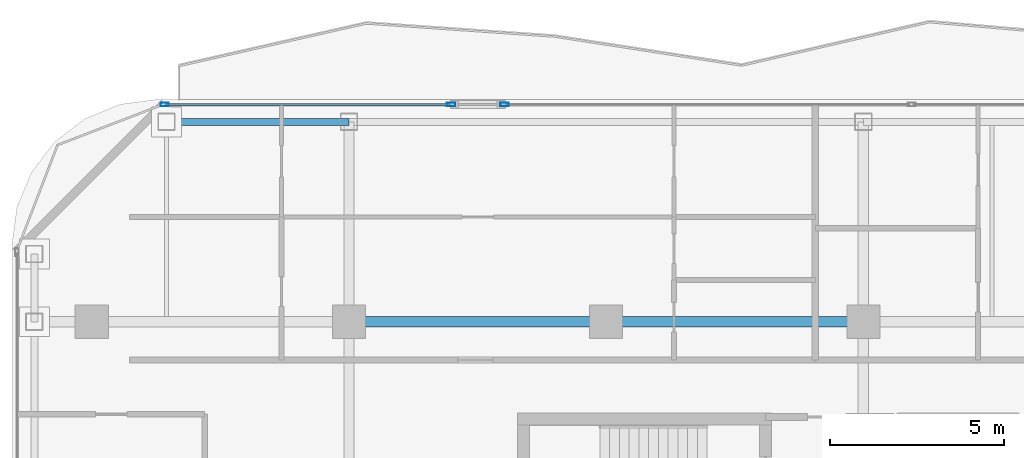
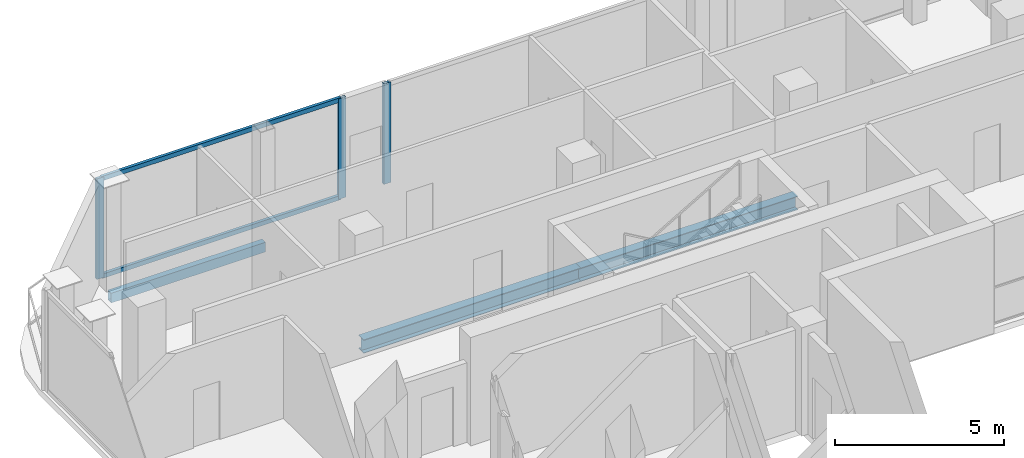
# One storey, part 11 of 22: 5 members, 3 beams, 2 elements without a shape of their own.
"""IFC4 building model written with IfcOpenShell, lengths in metres."""

from ifc_helpers import new_model, si_unit, direction, frame, origin, origin_2d, place, context, subcontext, project, spatial, hollow_rectangle, i_section, extrude, material, layer, layer_set, material_profile, profile_set, type_object, element, aggregate, save


model = new_model("IFC4")

# Units and contexts
model_context = context("Model", 3, precision=1e-05, world=origin(), true_north=direction((0.0, 1.0)))
body_context = subcontext(model_context, "Body", "Model", "MODEL_VIEW")
ifc_project = project(units=[si_unit("LENGTHUNIT", "METRE"), si_unit("AREAUNIT", "SQUARE_METRE"), si_unit("VOLUMEUNIT", "CUBIC_METRE"), si_unit("PLANEANGLEUNIT", "RADIAN"), si_unit("MASSUNIT", "GRAM", prefix="KILO")], contexts=[model_context])

# Site, building, storey
site_placement = place(None, origin())
site = spatial("IfcSite", under=ifc_project, at=site_placement, CompositionType="ELEMENT")
building_placement = place(site_placement, origin())
building = spatial("IfcBuilding", under=site, at=building_placement, Name="Khorvyn Point Tower", CompositionType="ELEMENT")
storey_placement = place(building_placement, frame((0.0, 0.0, 282.0)))
storey = spatial("IfcBuildingStorey", under=building, at=storey_placement, Name="L69", CompositionType="ELEMENT", Elevation=282.0)

# Curtain wall, members
ifc_material_1 = material(Name="Anodised aluminium 6063-T6 and laminated Low-E glass", Category="aluminium")
ifc_layer = layer(ifc_material_1, 0.18994140625)
ifc_layer_set = layer_set([ifc_layer], Name="Stick-Built High-Wind Curtain Wall CW-SYS-04")
curtain_wall_type = type_object("IfcCurtainWallType", Name="Stick-Built High-Wind Curtain Wall CW-SYS-04", PredefinedType="NOTDEFINED", material=ifc_layer_set)
curtain_wall_1_placement = place(storey_placement, origin())
curtain_wall_1 = element("IfcCurtainWall", 1, at=curtain_wall_1_placement, inside=storey, type_object=curtain_wall_type, Name="Curtain Wall", PredefinedType="NOTDEFINED")
ifc_material_2 = material(Name="Anodised aluminium 6063-T6", Category="aluminium")
ifc_material_profile_1 = material_profile(ifc_material_2, hollow_rectangle(XDim=0.10009765625, YDim=0.239990234375, WallThickness=0.0048828125, at=origin_2d()))
ifc_profile_set_1 = profile_set([ifc_material_profile_1], Name="Anodised aluminium 6063-T6 ALU-MUL-100x240")
member_type_1 = type_object("IfcMemberType", Name="Anodised Aluminium 6063-T6 Mullion ALU-MUL-100x240", PredefinedType="MULLION", material=ifc_profile_set_1)
member_1_placement = place(storey_placement, frame((-12.699951171875, 21.050048828125, 0.0), z_axis=(0.0, 0.0, 1.0), x_axis=(0.0, 1.0, 0.0)))
member_1 = element("IfcMember", 2, at=member_1_placement, type_object=member_type_1, Name="Transom", PredefinedType="MULLION", context=body_context, shape_type="SweptSolid", body=[
    extrude(hollow_rectangle(XDim=0.10009765625, YDim=0.239990234375, WallThickness=0.0048828125, at=origin_2d()), origin(), (0.0, 0.0, 1.0), 3.6201171875),
])
member_2_placement = place(storey_placement, frame((-4.462890625, 21.050048828125, 0.0), z_axis=(0.0, 0.0, 1.0), x_axis=(0.0, 1.0, 0.0)))
member_2 = element("IfcMember", 3, at=member_2_placement, type_object=member_type_1, Name="Transom", PredefinedType="MULLION", context=body_context, shape_type="SweptSolid", body=[
    extrude(hollow_rectangle(XDim=0.10009765625, YDim=0.239990234375, WallThickness=0.0048828125, at=origin_2d()), origin(), (0.0, 0.0, 1.0), 3.6201171875),
])

# Curtain wall, member
curtain_wall_2_placement = place(storey_placement, origin())
curtain_wall_2 = element("IfcCurtainWall", 4, at=curtain_wall_2_placement, inside=storey, type_object=curtain_wall_type, Name="Curtain Wall", PredefinedType="NOTDEFINED")
member_3_placement = place(storey_placement, frame((-2.923095703125, 21.050048828125, 0.0), z_axis=(0.0, 0.0, 1.0), x_axis=(0.0, 1.0, 0.0)))
member_3 = element("IfcMember", 5, at=member_3_placement, type_object=member_type_1, Name="Transom", PredefinedType="MULLION", context=body_context, shape_type="SweptSolid", body=[
    extrude(hollow_rectangle(XDim=0.10009765625, YDim=0.239990234375, WallThickness=0.0048828125, at=origin_2d()), origin(), (0.0, 0.0, 1.0), 3.6201171875),
])
aggregate(curtain_wall_2, [member_3])

# Member
ifc_material_profile_2 = material_profile(ifc_material_2, hollow_rectangle(XDim=0.10009765625, YDim=0.159912109375, WallThickness=0.00439453125, at=origin_2d()))
ifc_profile_set_2 = profile_set([ifc_material_profile_2], Name="Anodised aluminium 6063-T6 ALU-TRN-100x160")
member_type_2 = type_object("IfcMemberType", Name="Anodised Aluminium 6063-T6 Transom ALU-TRN-100x160", PredefinedType="USERDEFINED", material=ifc_profile_set_2)
member_4_placement = place(storey_placement, frame((-12.64990234375, 21.050048828125, 0.050048828125), z_axis=(1.0, 0.0, 0.0), x_axis=(0.0, 1.0, 0.0)))
member_4 = element("IfcMember", 6, at=member_4_placement, type_object=member_type_2, Name="Transom", ObjectType="TRANSOM", PredefinedType="USERDEFINED", context=body_context, shape_type="SweptSolid", body=[
    extrude(hollow_rectangle(XDim=0.10009765625, YDim=0.159912109375, WallThickness=0.00439453125, at=origin_2d()), origin(), (0.0, 0.0, 1.0), 8.136962890625),
])

member_5_placement = place(storey_placement, frame((-12.64990234375, 21.050048828125, 3.570068359375), z_axis=(1.0, 0.0, 0.0), x_axis=(0.0, 1.0, 0.0)))
member_5 = element("IfcMember", 7, at=member_5_placement, type_object=member_type_2, Name="Transom", ObjectType="TRANSOM", PredefinedType="USERDEFINED", context=body_context, shape_type="SweptSolid", body=[
    extrude(hollow_rectangle(XDim=0.10009765625, YDim=0.159912109375, WallThickness=0.00439453125, at=origin_2d()), origin(), (0.0, 0.0, 1.0), 8.136962890625),
])

aggregate(curtain_wall_1, [member_1, member_2, member_4, member_5])

# Beams
ifc_material_3 = material(Name="Steel S355", Category="steel")
ifc_material_profile_3 = material_profile(ifc_material_3, i_section(OverallWidth=0.300048828125, OverallDepth=0.488037109375, WebThickness=0.010986328125, FlangeThickness=0.01806640625, at=origin_2d()))
ifc_profile_set_3 = profile_set([ifc_material_profile_3], Name="Steel S355 H488x300x11x18")
beam_type_1 = type_object("IfcBeamType", Name="Steel S355 Spandrel H488x300x11x18", PredefinedType="SPANDREL", material=ifc_profile_set_3)
for number, where, z_axis, x_axis, name in (
    (8, (-7.39990234375, 14.800048828125, -0.464111328125), (1.0, 0.0, 0.0), (0.0, 1.0, 0.0), "Beam"),
    (9, (0.0, 14.800048828125, -0.464111328125), (1.0, 0.0, 0.0), (0.0, 1.0, 0.0), "Beam"),
):
    element("IfcBeam", number, at=place(storey_placement, frame(where, z_axis=z_axis, x_axis=x_axis)), inside=storey, type_object=beam_type_1, Name=name, PredefinedType="SPANDREL", context=body_context, shape_type="SweptSolid", body=[
        extrude(i_section(OverallWidth=0.300048828125, OverallDepth=0.488037109375, WebThickness=0.010986328125, FlangeThickness=0.01806640625, at=origin_2d()), origin(), (0.0, 0.0, 1.0), 7.39990234375),
    ])
ifc_material_profile_4 = material_profile(ifc_material_3, hollow_rectangle(XDim=0.199951171875, YDim=0.35009765625, WallThickness=0.013916015625, at=origin_2d()))
ifc_profile_set_4 = profile_set([ifc_material_profile_4], Name="Steel S355 RHS350x200x14")
beam_type_2 = type_object("IfcBeamType", Name="Steel S355 Spandrel RHS350x200x14", PredefinedType="SPANDREL", material=ifc_profile_set_4)
beam_placement = place(storey_placement, frame((-12.64990234375, 20.550048828125, -0.39501953125), z_axis=(1.0, 0.0, 0.0), x_axis=(0.0, 1.0, 0.0)))
element("IfcBeam", 10, at=beam_placement, inside=storey, type_object=beam_type_2, Name="Beam", PredefinedType="SPANDREL", context=body_context, shape_type="SweptSolid", body=[
    extrude(hollow_rectangle(XDim=0.199951171875, YDim=0.35009765625, WallThickness=0.013916015625, at=origin_2d()), origin(), (0.0, 0.0, 1.0), 5.25),
])

save(model, "model.ifc")
